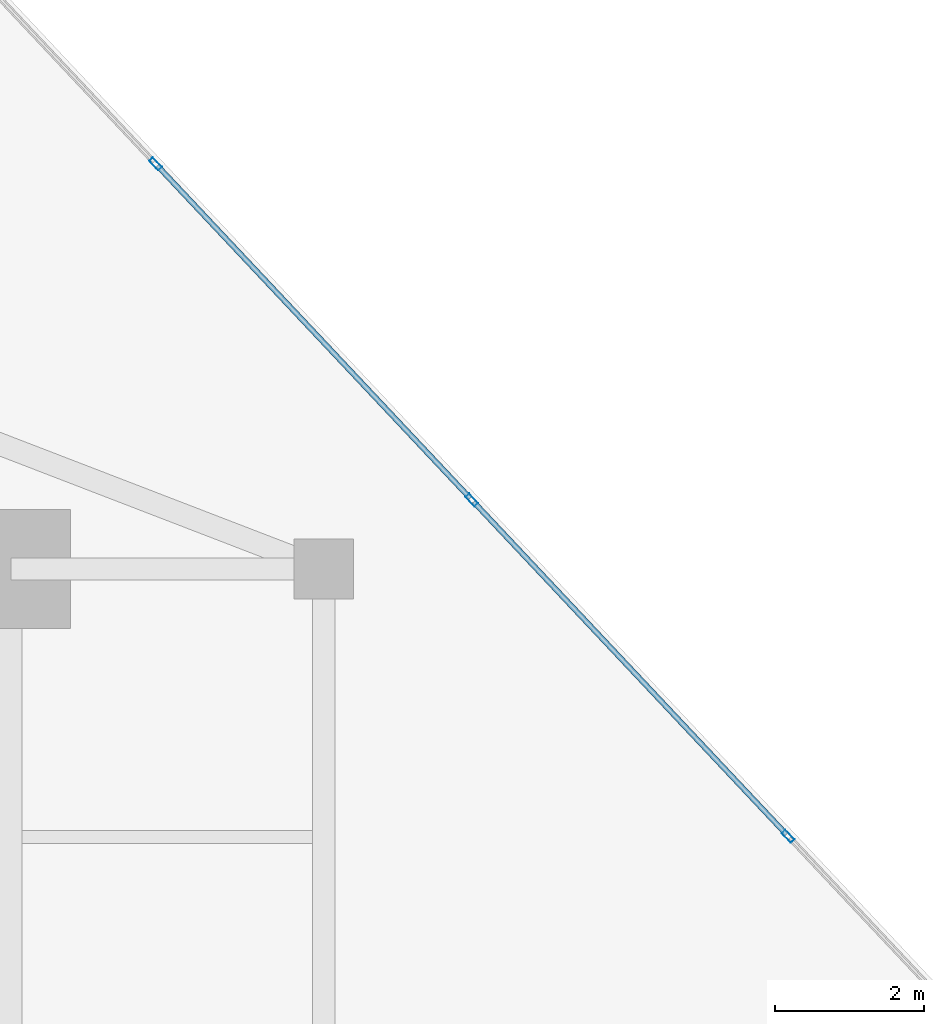
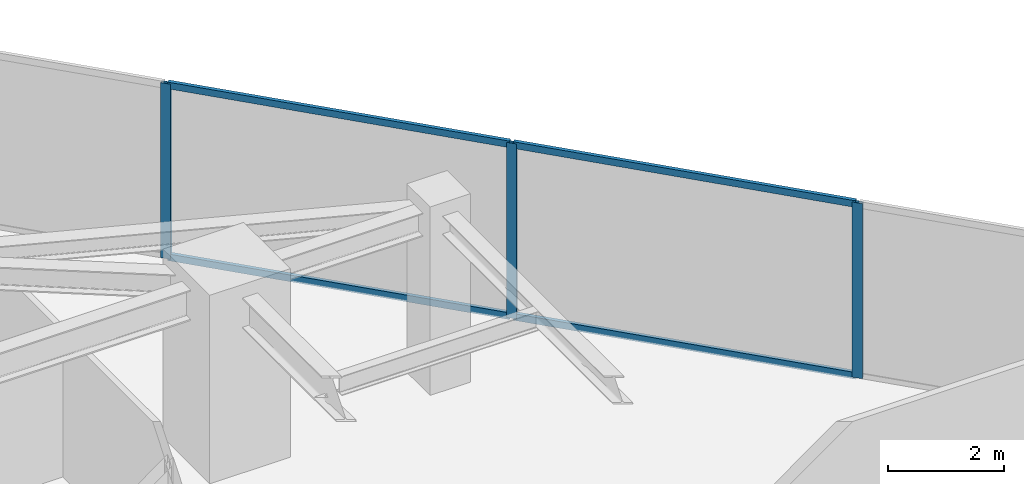
# One storey, part 18 of 24: 7 members, 1 element without a shape of its own.
"""IFC4 building model written with IfcOpenShell, lengths in metres."""

from ifc_helpers import new_model, si_unit, direction, frame, origin, origin_2d, place, context, subcontext, project, spatial, hollow_rectangle, extrude, source, transform, mapped, material, material_profile, profile_set, type_object, type_shapes, element, aggregate, save


model = new_model("IFC4")

# Units and contexts
model_context = context("Model", 3, precision=1e-05, world=origin(), true_north=direction((0.0, 1.0)))
body_context = subcontext(model_context, "Body", "Model", "MODEL_VIEW")
ifc_project = project(units=[si_unit("LENGTHUNIT", "METRE"), si_unit("AREAUNIT", "SQUARE_METRE"), si_unit("VOLUMEUNIT", "CUBIC_METRE"), si_unit("PLANEANGLEUNIT", "RADIAN"), si_unit("MASSUNIT", "GRAM", prefix="KILO")], contexts=[model_context])

# Site, building, storey
site_placement = place(None, origin())
site = spatial("IfcSite", under=ifc_project, at=site_placement, CompositionType="ELEMENT")
building_placement = place(site_placement, origin())
building = spatial("IfcBuilding", under=site, at=building_placement, Name="Krantzveldt Concourse Tower", CompositionType="ELEMENT")
storey_placement = place(building_placement, frame((0.0, 0.0, 242.85009765625)))
storey = spatial("IfcBuildingStorey", under=building, at=storey_placement, Name="L59", CompositionType="ELEMENT", Elevation=242.85009765625)

# Curtain wall, members
ifc_material = material(Name="Anodised aluminium 6063-T6", Category="aluminium")
curtain_wall_type = type_object("IfcCurtainWallType", Name="CW3", PredefinedType="USERDEFINED", material=ifc_material)
curtain_wall_placement = place(storey_placement, origin())
curtain_wall = element("IfcCurtainWall", 1, at=curtain_wall_placement, inside=storey, type_object=curtain_wall_type, Name="CW-L59-F14", ObjectType="UNITISED CURTAIN WALL", PredefinedType="USERDEFINED")
ifc_material_profile_1 = material_profile(ifc_material, hollow_rectangle(XDim=0.070068359375, YDim=0.179931640625, WallThickness=0.0048828125, at=origin_2d()), Name="Anodised aluminium 6063-T6", Category="aluminium")
ifc_profile_set_1 = profile_set([ifc_material_profile_1], Name="Anodised aluminium 6063-T6 - ALU-MULL 180x70x5")
member_type_1 = type_object("IfcMemberType", Name="CW-MUL-180", PredefinedType="MULLION", material=ifc_profile_set_1)
shared_shape_1 = source(origin(), body_context, "Body", "SweptSolid", [
    extrude(hollow_rectangle(XDim=0.070068359375, YDim=0.179931640625, WallThickness=0.0048828125, at=origin_2d()), origin(), (0.0, 0.0, 1.0), 3.669921875),
])
type_shapes(member_type_1, [shared_shape_1])
member_1_placement = place(storey_placement, frame((57.23828125, 33.91064453125, 0.0), z_axis=(0.0, 0.0, 1.0), x_axis=(-0.728371012348, -0.685182945184, 0.0)))
member_1 = element("IfcMember", 2, at=member_1_placement, type_object=member_type_1, Name="CW-Z34 mullion 2", PredefinedType="MULLION", context=body_context, shape_type="MappedRepresentation", body=[
    mapped(shared_shape_1, transform((0.0, 0.0, 0.0), x_axis=(1.0, 0.0, 0.0), y_axis=(0.0, 1.0, 0.0), z_axis=(0.0, 0.0, 1.0), scale=1.0)),
])
member_2_placement = place(storey_placement, frame((52.990234375, 38.426513671875, 0.0), z_axis=(0.0, 0.0, 1.0), x_axis=(-0.728371012348, -0.685182945184, 0.0)))
member_2 = element("IfcMember", 3, at=member_2_placement, type_object=member_type_1, Name="CW-Z34 mullion 3", PredefinedType="MULLION", context=body_context, shape_type="MappedRepresentation", body=[
    mapped(shared_shape_1, transform((0.0, 0.0, 0.0), x_axis=(1.0, 0.0, 0.0), y_axis=(0.0, 1.0, 0.0), z_axis=(0.0, 0.0, 1.0), scale=1.0)),
])
member_3_placement = place(storey_placement, frame((48.741943359375, 42.942626953125, 0.0), z_axis=(0.0, 0.0, 1.0), x_axis=(-0.728371012348, -0.685182945184, 0.0)))
member_3 = element("IfcMember", 4, at=member_3_placement, type_object=member_type_1, Name="CW-Z34 mullion 4", PredefinedType="MULLION", context=body_context, shape_type="MappedRepresentation", body=[
    mapped(shared_shape_1, transform((0.0, 0.0, 0.0), x_axis=(1.0, 0.0, 0.0), y_axis=(0.0, 1.0, 0.0), z_axis=(0.0, 0.0, 1.0), scale=1.0)),
])
ifc_material_profile_2 = material_profile(ifc_material, hollow_rectangle(XDim=0.070068359375, YDim=0.139892578125, WallThickness=0.0048828125, at=origin_2d()), Name="Anodised aluminium 6063-T6", Category="aluminium")
ifc_profile_set_2 = profile_set([ifc_material_profile_2], Name="Anodised aluminium 6063-T6 - ALU-TRAN 140x70x5")
member_type_2 = type_object("IfcMemberType", Name="CW-TRN-150", PredefinedType="USERDEFINED", material=ifc_profile_set_2)
shared_shape_2 = source(origin(), body_context, "Body", "SweptSolid", [
    extrude(hollow_rectangle(XDim=0.070068359375, YDim=0.139892578125, WallThickness=0.0048828125, at=origin_2d()), origin(), (0.0, 0.0, 1.0), 6.1298828125),
])
type_shapes(member_type_2, [shared_shape_2])
member_4_placement = place(storey_placement, frame((57.21435546875, 33.936279296875, 0.034912109375), z_axis=(-0.685190754255, 0.72836366623, 0.0), x_axis=(-0.72836366623, -0.685190754255, 0.0)))
member_4 = element("IfcMember", 5, at=member_4_placement, type_object=member_type_2, Name="CW-Z34 transom 2.1", ObjectType="TRANSOM", PredefinedType="USERDEFINED", context=body_context, shape_type="MappedRepresentation", body=[
    mapped(shared_shape_2, transform((0.0, 0.0, 0.0), x_axis=(1.0, 0.0, 0.0), y_axis=(0.0, 1.0, 0.0), z_axis=(0.0, 0.0, 1.0), scale=1.0)),
])
member_5_placement = place(storey_placement, frame((57.21435546875, 33.936279296875, 3.635009765625), z_axis=(-0.685190754255, 0.72836366623, 0.0), x_axis=(-0.72836366623, -0.685190754255, 0.0)))
member_5 = element("IfcMember", 6, at=member_5_placement, type_object=member_type_2, Name="CW-Z34 transom 2.2", ObjectType="TRANSOM", PredefinedType="USERDEFINED", context=body_context, shape_type="MappedRepresentation", body=[
    mapped(shared_shape_2, transform((0.0, 0.0, 0.0), x_axis=(1.0, 0.0, 0.0), y_axis=(0.0, 1.0, 0.0), z_axis=(0.0, 0.0, 1.0), scale=1.0)),
])
member_6_placement = place(storey_placement, frame((52.966064453125, 38.4521484375, 0.034912109375), z_axis=(-0.685190754255, 0.72836366623, 0.0), x_axis=(-0.72836366623, -0.685190754255, 0.0)))
member_6 = element("IfcMember", 7, at=member_6_placement, type_object=member_type_2, Name="CW-Z34 transom 3.1", ObjectType="TRANSOM", PredefinedType="USERDEFINED", context=body_context, shape_type="MappedRepresentation", body=[
    mapped(shared_shape_2, transform((0.0, 0.0, 0.0), x_axis=(1.0, 0.0, 0.0), y_axis=(0.0, 1.0, 0.0), z_axis=(0.0, 0.0, 1.0), scale=1.0)),
])
member_7_placement = place(storey_placement, frame((52.966064453125, 38.4521484375, 3.635009765625), z_axis=(-0.685190754255, 0.72836366623, 0.0), x_axis=(-0.72836366623, -0.685190754255, 0.0)))
member_7 = element("IfcMember", 8, at=member_7_placement, type_object=member_type_2, Name="CW-Z34 transom 3.2", ObjectType="TRANSOM", PredefinedType="USERDEFINED", context=body_context, shape_type="MappedRepresentation", body=[
    mapped(shared_shape_2, transform((0.0, 0.0, 0.0), x_axis=(1.0, 0.0, 0.0), y_axis=(0.0, 1.0, 0.0), z_axis=(0.0, 0.0, 1.0), scale=1.0)),
])
aggregate(curtain_wall, [member_1, member_2, member_3, member_4, member_5, member_6, member_7])

save(model, "model.ifc")
